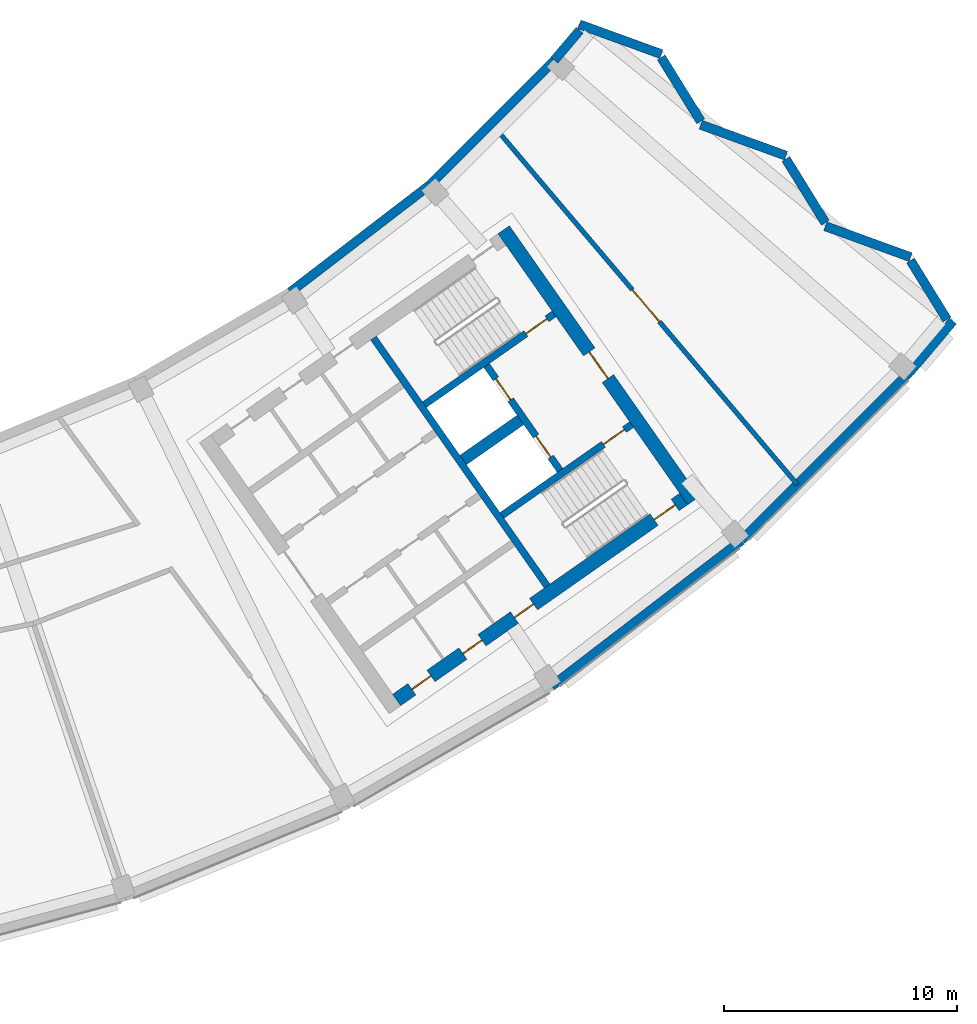
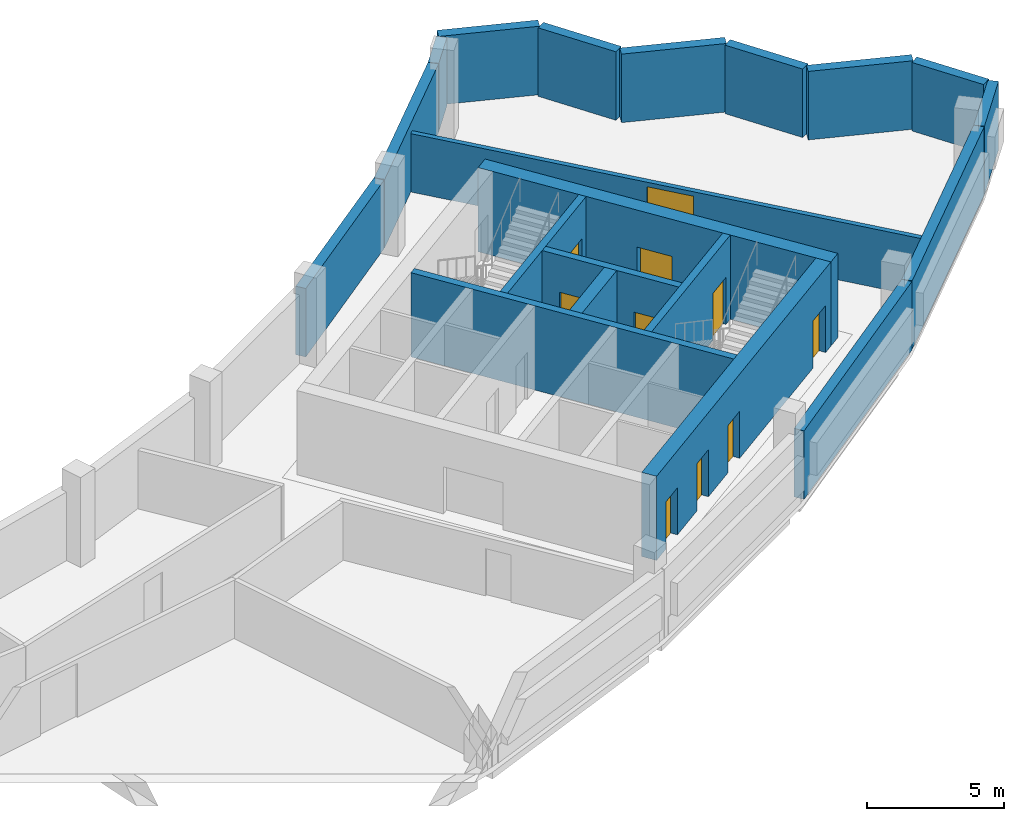
# One storey, part 6 of 11: 20 walls, 10 doors, 10 openings.
"""IFC4 building model written with IfcOpenShell, lengths in metres."""

from ifc_helpers import new_model, si_unit, direction, frame, frame_2d, origin, place, context, subcontext, project, spatial, rectangle, extrude, material, layer, layer_set, type_object, element, fill, save


model = new_model("IFC4")

# Units and contexts
model_context = context("Model", 3, precision=1e-05, world=origin(), true_north=direction((0.0, 1.0)))
body_context = subcontext(model_context, "Body", "Model", "MODEL_VIEW")
ifc_project = project(units=[si_unit("LENGTHUNIT", "METRE"), si_unit("AREAUNIT", "SQUARE_METRE"), si_unit("VOLUMEUNIT", "CUBIC_METRE"), si_unit("PLANEANGLEUNIT", "RADIAN"), si_unit("MASSUNIT", "GRAM", prefix="KILO")], contexts=[model_context])

# Site, building, storey
site_placement = place(None, origin())
site = spatial("IfcSite", under=ifc_project, at=site_placement, CompositionType="ELEMENT")
building_placement = place(site_placement, origin())
building = spatial("IfcBuilding", under=site, at=building_placement, Name="Qamariyya Broadcast Tower", CompositionType="ELEMENT")
storey_placement = place(building_placement, frame((0.0, 0.0, 314.699951171875)))
storey = spatial("IfcBuildingStorey", under=building, at=storey_placement, Name="L76", CompositionType="ELEMENT", Elevation=314.699951171875)

# Wall, opening, door
ifc_material_1 = material(Name="Concrete C60/75", Category="concrete")
ifc_layer_1 = layer(ifc_material_1, 0.60009765625)
ifc_layer_set_1 = layer_set([ifc_layer_1], Name="Core wall 600 mm Concrete C60/75")
wall_type_1 = type_object("IfcWallType", Name="Core wall 600 mm Concrete C60/75", PredefinedType="SHEAR", material=ifc_layer_set_1)
wall_1_placement = place(storey_placement, frame((49.4833984375, -57.031494140625, 0.0), z_axis=(0.0, 0.0, 1.0), x_axis=(-0.573560421458, 0.819163257805, 0.0)))
wall_1 = element("IfcWall", 1, at=wall_1_placement, inside=storey, type_object=wall_type_1, Name="k-E-L76-WH", PredefinedType="SHEAR", context=body_context, shape_type="SweptSolid", body=[
    extrude(rectangle(XDim=14.199951171875, YDim=0.60009765625, at=frame_2d((7.10009765625, 0.0))), origin(), (0.0, 0.0, 1.0), 3.75),
])
opening_1_placement = place(wall_1_placement, frame((6.39990234375, 0.0, 0.0)))
opening_1 = element("IfcOpeningElement", 2, at=opening_1_placement, cuts=wall_1, Name="Opening KD2-E1", PredefinedType="OPENING", context=body_context, shape_type="SweptSolid", body=[
    extrude(rectangle(XDim=1.39990234375, YDim=2.10009765625, at=frame_2d((0.699951171875, 1.050048828125))), frame((0.0, 0.31005859375, 0.0), z_axis=(0.0, -1.0, 0.0), x_axis=(1.0, 0.0, 0.0)), (0.0, 0.0, 1.0), 0.6201171875),
])
ifc_material_2 = material(Name="Steel fire-resisting door leaf", Category="steel")
door_type_1 = type_object("IfcDoorType", Name="Fire-fighting lobby door KD2", OperationType="DOUBLE_DOOR_SINGLE_SWING", PredefinedType="DOOR", material=ifc_material_2)
door_1_placement = place(opening_1_placement, origin())
door_1 = element("IfcDoor", 3, at=door_1_placement, inside=storey, type_object=door_type_1, Name="k-E-L76-WH-D16", OperationType="DOUBLE_DOOR_SINGLE_SWING", OverallHeight=2.10009765625, OverallWidth=1.39990234375, PredefinedType="DOOR", context=body_context, shape_type="SweptSolid", body=[
    extrude(rectangle(XDim=1.39990234375, YDim=2.10009765625, at=frame_2d((0.699951171875, 1.050048828125))), frame((0.0, 0.02490234375, 0.0), z_axis=(0.0, -1.0, 0.0), x_axis=(1.0, 0.0, 0.0)), (0.0, 0.0, 1.0), 0.050048828125),
])
fill(opening_1, door_1)

# Wall, openings, doors
wall_2_placement = place(storey_placement, frame((36.7412109375, -65.58740234375, 0.0), z_axis=(0.0, 0.0, 1.0), x_axis=(0.819153391756, 0.573574511963, 0.0)))
wall_2 = element("IfcWall", 4, at=wall_2_placement, inside=storey, type_object=wall_type_1, Name="k-E-L76-WO", PredefinedType="SHEAR", context=body_context, shape_type="SweptSolid", body=[
    extrude(rectangle(XDim=15.04541015625, YDim=0.60009765625, at=frame_2d((7.522705078125, 0.0))), origin(), (0.0, 0.0, 1.0), 3.75),
])
opening_2_placement = place(wall_2_placement, frame((0.800048828125, 0.0, 0.0)))
opening_2 = element("IfcOpeningElement", 5, at=opening_2_placement, cuts=wall_2, Name="Opening KD4-E10", PredefinedType="OPENING", context=body_context, shape_type="SweptSolid", body=[
    extrude(rectangle(XDim=1.0, YDim=2.10009765625, at=frame_2d((0.5, 1.050048828125))), frame((0.0, 0.31005859375, 0.0), z_axis=(0.0, -1.0, 0.0), x_axis=(1.0, 0.0, 0.0)), (0.0, 0.0, 1.0), 0.6201171875),
])
opening_3_placement = place(wall_2_placement, frame((3.47509765625, 0.0, 0.0)))
opening_3 = element("IfcOpeningElement", 6, at=opening_3_placement, cuts=wall_2, Name="Opening KD4-E11", PredefinedType="OPENING", context=body_context, shape_type="SweptSolid", body=[
    extrude(rectangle(XDim=1.0, YDim=2.10009765625, at=frame_2d((0.5, 1.050048828125))), frame((0.0, 0.31005859375, 0.0), z_axis=(0.0, -1.0, 0.0), x_axis=(1.0, 0.0, 0.0)), (0.0, 0.0, 1.0), 0.6201171875),
])
opening_4_placement = place(wall_2_placement, frame((6.175048828125, 0.0, 0.0)))
opening_4 = element("IfcOpeningElement", 7, at=opening_4_placement, cuts=wall_2, Name="Opening KD4-E12", PredefinedType="OPENING", context=body_context, shape_type="SweptSolid", body=[
    extrude(rectangle(XDim=1.0, YDim=2.10009765625, at=frame_2d((0.5, 1.050048828125))), frame((0.0, 0.31005859375, 0.0), z_axis=(0.0, -1.0, 0.0), x_axis=(1.0, 0.0, 0.0)), (0.0, 0.0, 1.0), 0.6201171875),
])
opening_5_placement = place(wall_2_placement, frame((13.495361328125, 0.0, 0.0)))
opening_5 = element("IfcOpeningElement", 8, at=opening_5_placement, cuts=wall_2, Name="Opening KD1-E3", PredefinedType="OPENING", context=body_context, shape_type="SweptSolid", body=[
    extrude(rectangle(XDim=1.10009765625, YDim=2.10009765625, at=frame_2d((0.550048828125, 1.050048828125))), frame((0.0, 0.31005859375, 0.0), z_axis=(0.0, -1.0, 0.0), x_axis=(1.0, 0.0, 0.0)), (0.0, 0.0, 1.0), 0.6201171875),
])
door_type_2 = type_object("IfcDoorType", Name="Riser and plant door KD4", OperationType="SINGLE_SWING_LEFT", PredefinedType="DOOR", material=ifc_material_2)
door_2_placement = place(opening_2_placement, origin())
door_2 = element("IfcDoor", 9, at=door_2_placement, inside=storey, type_object=door_type_2, Name="k-E-L76-WO-D11", OperationType="SINGLE_SWING_LEFT", OverallHeight=2.10009765625, OverallWidth=1.0, PredefinedType="DOOR", context=body_context, shape_type="SweptSolid", body=[
    extrude(rectangle(XDim=1.0, YDim=2.10009765625, at=frame_2d((0.5, 1.050048828125))), frame((0.0, 0.02490234375, 0.0), z_axis=(0.0, -1.0, 0.0), x_axis=(1.0, 0.0, 0.0)), (0.0, 0.0, 1.0), 0.050048828125),
])
fill(opening_2, door_2)
door_3_placement = place(opening_3_placement, origin())
door_3 = element("IfcDoor", 10, at=door_3_placement, inside=storey, type_object=door_type_2, Name="k-E-L76-WO-D12", OperationType="SINGLE_SWING_RIGHT", OverallHeight=2.10009765625, OverallWidth=1.0, PredefinedType="DOOR", context=body_context, shape_type="SweptSolid", body=[
    extrude(rectangle(XDim=1.0, YDim=2.10009765625, at=frame_2d((0.5, 1.050048828125))), frame((0.0, 0.02490234375, 0.0), z_axis=(0.0, -1.0, 0.0), x_axis=(1.0, 0.0, 0.0)), (0.0, 0.0, 1.0), 0.050048828125),
])
fill(opening_3, door_3)
door_4_placement = place(opening_4_placement, origin())
door_4 = element("IfcDoor", 11, at=door_4_placement, inside=storey, type_object=door_type_2, Name="k-E-L76-WO-D13", OperationType="SINGLE_SWING_LEFT", OverallHeight=2.10009765625, OverallWidth=1.0, PredefinedType="DOOR", context=body_context, shape_type="SweptSolid", body=[
    extrude(rectangle(XDim=1.0, YDim=2.10009765625, at=frame_2d((0.5, 1.050048828125))), frame((0.0, 0.02490234375, 0.0), z_axis=(0.0, -1.0, 0.0), x_axis=(1.0, 0.0, 0.0)), (0.0, 0.0, 1.0), 0.050048828125),
])
fill(opening_4, door_4)
door_type_3 = type_object("IfcDoorType", Name="Stair door KD1", OperationType="SINGLE_SWING_LEFT", PredefinedType="DOOR", material=ifc_material_2)
door_5_placement = place(opening_5_placement, origin())
door_5 = element("IfcDoor", 12, at=door_5_placement, inside=storey, type_object=door_type_3, Name="k-E-L76-WO-D19", OperationType="SINGLE_SWING_LEFT", OverallHeight=2.10009765625, OverallWidth=1.10009765625, PredefinedType="DOOR", context=body_context, shape_type="SweptSolid", body=[
    extrude(rectangle(XDim=1.10009765625, YDim=2.10009765625, at=frame_2d((0.550048828125, 1.050048828125))), frame((0.0, 0.02490234375, 0.0), z_axis=(0.0, -1.0, 0.0), x_axis=(1.0, 0.0, 0.0)), (0.0, 0.0, 1.0), 0.050048828125),
])
fill(opening_5, door_5)

# Walls
ifc_layer_2 = layer(ifc_material_1, 0.5)
ifc_layer_set_2 = layer_set([ifc_layer_2], Name="Fire-fighting lobby divider wall 500 mm Concrete C60/75")
wall_type_2 = type_object("IfcWallType", Name="Fire-fighting lobby divider wall 500 mm Concrete C60/75", PredefinedType="SOLIDWALL", material=ifc_layer_set_2)
wall_3_placement = place(storey_placement, frame((39.59912109375, -55.28515625, 0.0), z_axis=(0.0, 0.0, 1.0), x_axis=(0.819136323161, 0.573598887793, 0.0)))
element("IfcWall", 13, at=wall_3_placement, inside=storey, type_object=wall_type_2, Name="k-E-L76-FD", PredefinedType="SOLIDWALL", context=body_context, shape_type="SweptSolid", body=[
    extrude(rectangle(XDim=2.999755859375, YDim=0.5, at=frame_2d((1.5, 0.0))), origin(), (0.0, 0.0, 1.0), 3.75),
])
ifc_layer_3 = layer(ifc_material_1, 0.300048828125)
ifc_layer_set_3 = layer_set([ifc_layer_3], Name="Lift shaft wall 300 mm Concrete C60/75")
wall_type_3 = type_object("IfcWallType", Name="Lift shaft wall 300 mm Concrete C60/75", PredefinedType="SOLIDWALL", material=ifc_layer_set_3)
wall_4_placement = place(storey_placement, frame((43.204345703125, -60.69580078125, 0.0), z_axis=(0.0, 0.0, 1.0), x_axis=(-0.573571992966, 0.819155155563, 0.0)))
element("IfcWall", 14, at=wall_4_placement, inside=storey, type_object=wall_type_3, Name="k-E-L76-WL", PredefinedType="SOLIDWALL", context=body_context, shape_type="SweptSolid", body=[
    extrude(rectangle(XDim=13.000244140625, YDim=0.300048828125, at=frame_2d((6.5, 0.0))), origin(), (0.0, 0.0, 1.0), 3.75),
])

# Wall, opening, door
wall_5_placement = place(storey_placement, frame((37.935546875, -52.90966796875, 0.0), z_axis=(0.0, 0.0, 1.0), x_axis=(0.819147518138, 0.57358290031, 0.0)))
wall_5 = element("IfcWall", 15, at=wall_5_placement, inside=storey, type_object=wall_type_3, Name="k-E-L76-NW", PredefinedType="SOLIDWALL", context=body_context, shape_type="SweptSolid", body=[
    extrude(rectangle(XDim=6.79541015625, YDim=0.300048828125, at=frame_2d((3.397705078125, 0.0))), origin(), (0.0, 0.0, 1.0), 3.75),
])
opening_6_placement = place(wall_5_placement, frame((5.3203125, 0.0, 0.0)))
opening_6 = element("IfcOpeningElement", 16, at=opening_6_placement, cuts=wall_5, Name="Opening KD1-E2", PredefinedType="OPENING", context=body_context, shape_type="SweptSolid", body=[
    extrude(rectangle(XDim=1.10009765625, YDim=2.10009765625, at=frame_2d((0.550048828125, 1.050048828125))), frame((0.0, 0.159912109375, 0.0), z_axis=(0.0, -1.0, 0.0), x_axis=(1.0, 0.0, 0.0)), (0.0, 0.0, 1.0), 0.320068359375),
])
door_6_placement = place(opening_6_placement, origin())
door_6 = element("IfcDoor", 17, at=door_6_placement, inside=storey, type_object=door_type_3, Name="k-E-L76-NW-D18", OperationType="SINGLE_SWING_RIGHT", OverallHeight=2.10009765625, OverallWidth=1.10009765625, PredefinedType="DOOR", context=body_context, shape_type="SweptSolid", body=[
    extrude(rectangle(XDim=1.10009765625, YDim=2.10009765625, at=frame_2d((0.550048828125, 1.050048828125))), frame((0.0, 0.02490234375, 0.0), z_axis=(0.0, -1.0, 0.0), x_axis=(1.0, 0.0, 0.0)), (0.0, 0.0, 1.0), 0.050048828125),
])
fill(opening_6, door_6)

wall_6_placement = place(storey_placement, frame((41.262451171875, -57.66064453125, 0.0), z_axis=(0.0, 0.0, 1.0), x_axis=(0.819164398642, 0.573558792102, 0.0)))
wall_6 = element("IfcWall", 18, at=wall_6_placement, inside=storey, type_object=wall_type_3, Name="k-E-L76-SW", PredefinedType="SOLIDWALL", context=body_context, shape_type="SweptSolid", body=[
    extrude(rectangle(XDim=6.795166015625, YDim=0.300048828125, at=frame_2d((3.3974609375, 0.0))), origin(), (0.0, 0.0, 1.0), 3.75),
])
opening_7_placement = place(wall_6_placement, frame((5.3203125, 0.0, 0.0)))
opening_7 = element("IfcOpeningElement", 19, at=opening_7_placement, cuts=wall_6, Name="Opening KD1-E4", PredefinedType="OPENING", context=body_context, shape_type="SweptSolid", body=[
    extrude(rectangle(XDim=1.10009765625, YDim=2.10009765625, at=frame_2d((0.550048828125, 1.050048828125))), frame((0.0, 0.159912109375, 0.0), z_axis=(0.0, -1.0, 0.0), x_axis=(1.0, 0.0, 0.0)), (0.0, 0.0, 1.0), 0.320068359375),
])
door_7_placement = place(opening_7_placement, origin())
door_7 = element("IfcDoor", 20, at=door_7_placement, inside=storey, type_object=door_type_3, Name="k-E-L76-SW-D20", OperationType="SINGLE_SWING_RIGHT", OverallHeight=2.10009765625, OverallWidth=1.10009765625, PredefinedType="DOOR", context=body_context, shape_type="SweptSolid", body=[
    extrude(rectangle(XDim=1.10009765625, YDim=2.10009765625, at=frame_2d((0.550048828125, 1.050048828125))), frame((0.0, 0.02490234375, 0.0), z_axis=(0.0, -1.0, 0.0), x_axis=(1.0, 0.0, 0.0)), (0.0, 0.0, 1.0), 0.050048828125),
])
fill(opening_7, door_7)

# Wall, openings, doors
wall_7_placement = place(storey_placement, frame((43.756591796875, -55.731201171875, 0.0), z_axis=(0.0, 0.0, 1.0), x_axis=(-0.573536818435, 0.819179783625, 0.0)))
wall_7 = element("IfcWall", 21, at=wall_7_placement, inside=storey, type_object=wall_type_3, Name="k-E-L76-FF", PredefinedType="SOLIDWALL", context=body_context, shape_type="SweptSolid", body=[
    extrude(rectangle(XDim=5.500244140625, YDim=0.300048828125, at=frame_2d((2.75, 0.0))), origin(), (0.0, 0.0, 1.0), 3.75),
])
opening_8_placement = place(wall_7_placement, frame((0.699951171875, 0.0, 0.0)))
opening_8 = element("IfcOpeningElement", 22, at=opening_8_placement, cuts=wall_7, Name="Opening LD", PredefinedType="OPENING", context=body_context, shape_type="SweptSolid", body=[
    extrude(rectangle(XDim=1.10009765625, YDim=2.10009765625, at=frame_2d((0.550048828125, 1.050048828125))), frame((0.0, 0.159912109375, 0.0), z_axis=(0.0, -1.0, 0.0), x_axis=(1.0, 0.0, 0.0)), (0.0, 0.0, 1.0), 0.320068359375),
])
opening_9_placement = place(wall_7_placement, frame((3.699951171875, 0.0, 0.0)))
opening_9 = element("IfcOpeningElement", 23, at=opening_9_placement, cuts=wall_7, Name="Opening LD", PredefinedType="OPENING", context=body_context, shape_type="SweptSolid", body=[
    extrude(rectangle(XDim=1.10009765625, YDim=2.10009765625, at=frame_2d((0.550048828125, 1.050048828125))), frame((0.0, 0.159912109375, 0.0), z_axis=(0.0, -1.0, 0.0), x_axis=(1.0, 0.0, 0.0)), (0.0, 0.0, 1.0), 0.320068359375),
])
door_type_4 = type_object("IfcDoorType", Name="Lift landing door LD", OperationType="DOUBLE_DOOR_SLIDING", PredefinedType="DOOR", material=ifc_material_2)
door_8_placement = place(opening_8_placement, origin())
door_8 = element("IfcDoor", 24, at=door_8_placement, inside=storey, type_object=door_type_4, Name="k-E-L76-FF-D14", OperationType="DOUBLE_DOOR_SLIDING", OverallHeight=2.10009765625, OverallWidth=1.10009765625, PredefinedType="DOOR", context=body_context, shape_type="SweptSolid", body=[
    extrude(rectangle(XDim=1.10009765625, YDim=2.10009765625, at=frame_2d((0.550048828125, 1.050048828125))), frame((0.0, 0.02490234375, 0.0), z_axis=(0.0, -1.0, 0.0), x_axis=(1.0, 0.0, 0.0)), (0.0, 0.0, 1.0), 0.050048828125),
])
fill(opening_8, door_8)
door_9_placement = place(opening_9_placement, origin())
door_9 = element("IfcDoor", 25, at=door_9_placement, inside=storey, type_object=door_type_4, Name="k-E-L76-FF-D15", OperationType="DOUBLE_DOOR_SLIDING", OverallHeight=2.10009765625, OverallWidth=1.10009765625, PredefinedType="DOOR", context=body_context, shape_type="SweptSolid", body=[
    extrude(rectangle(XDim=1.10009765625, YDim=2.10009765625, at=frame_2d((0.550048828125, 1.050048828125))), frame((0.0, 0.02490234375, 0.0), z_axis=(0.0, -1.0, 0.0), x_axis=(1.0, 0.0, 0.0)), (0.0, 0.0, 1.0), 0.050048828125),
])
fill(opening_9, door_9)

# Wall, opening, door
ifc_material_3 = material(Name="Masonry block wall", Category="masonry")
ifc_layer_4 = layer(ifc_material_3, 0.199951171875)
ifc_layer_set_4 = layer_set([ifc_layer_4], Name="Plant room wall 200 EI 120")
wall_type_4 = type_object("IfcWallType", Name="Plant room wall 200 EI 120", PredefinedType="PARTITIONING", material=ifc_layer_set_4)
wall_8_placement = place(storey_placement, frame((40.93603515625, -40.982666015625, 0.0), z_axis=(0.0, 0.0, 1.0), x_axis=(0.646426079671, -0.76297662056, 0.0)))
wall_8 = element("IfcWall", 26, at=wall_8_placement, inside=storey, type_object=wall_type_4, Name="Partition L76-026", PredefinedType="PARTITIONING", context=body_context, shape_type="SweptSolid", body=[
    extrude(rectangle(XDim=20.1259765625, YDim=0.199951171875, at=frame_2d((10.06298828125, 0.0))), origin(), (0.0, 0.0, 1.0), 2.60009765625),
])
opening_10_placement = place(wall_8_placement, frame((9.1630859375, 0.0, 0.0)))
opening_10 = element("IfcOpeningElement", 27, at=opening_10_placement, cuts=wall_8, Name="Opening L76-D13", PredefinedType="OPENING", context=body_context, shape_type="SweptSolid", body=[
    extrude(rectangle(XDim=1.800048828125, YDim=2.39990234375, at=frame_2d((0.89990234375, 1.199951171875))), frame((0.0, 0.10986328125, 0.0), z_axis=(0.0, -1.0, 0.0), x_axis=(1.0, 0.0, 0.0)), (0.0, 0.0, 1.0), 0.219970703125),
])
ifc_material_4 = material(Name="Insulated metal door leaf")
door_type_5 = type_object("IfcDoorType", Name="Plant double door 1800 x 2400 FD120", OperationType="NOTDEFINED", PredefinedType="DOOR", material=ifc_material_4)
door_10_placement = place(opening_10_placement, origin())
door_10 = element("IfcDoor", 28, at=door_10_placement, inside=storey, type_object=door_type_5, Name="Door L76-D13", OperationType="DOUBLE_DOOR_SINGLE_SWING", OverallHeight=2.39990234375, OverallWidth=1.800048828125, PredefinedType="DOOR", context=body_context, shape_type="SweptSolid", body=[
    extrude(rectangle(XDim=1.800048828125, YDim=2.39990234375, at=frame_2d((0.89990234375, 1.199951171875))), frame((0.0, 0.02490234375, 0.0), z_axis=(0.0, -1.0, 0.0), x_axis=(1.0, 0.0, 0.0)), (0.0, 0.0, 1.0), 0.050048828125),
])
fill(opening_10, door_10)

# Walls
ifc_material_5 = material(Name="Terracotta", Category="masonry")
ifc_layer_5 = layer(ifc_material_5, 0.39990234375)
ifc_layer_set_5 = layer_set([ifc_layer_5], Name="Solid terracotta louvred band wall 400")
wall_type_5 = type_object("IfcWallType", Name="Solid terracotta louvred band wall 400", PredefinedType="SOLIDWALL", material=ifc_layer_set_5)
wall_9_placement = place(storey_placement, frame((60.36962890625, -49.252685546875, 0.0), z_axis=(0.0, 0.0, 1.0), x_axis=(-0.525538284274, 0.850769952315, 0.0)))
element("IfcWall", 29, at=wall_9_placement, inside=storey, type_object=wall_type_5, Name="e-wl-L76-capE0", PredefinedType="SOLIDWALL", context=body_context, shape_type="SweptSolid", body=[
    extrude(rectangle(XDim=2.976318359375, YDim=0.39990234375, at=frame_2d((1.48828125, 0.0))), origin(), (0.0, 0.0, 1.0), 3.050048828125),
])
wall_10_placement = place(storey_placement, frame((58.806396484375, -46.57421875, 0.0), z_axis=(0.0, 0.0, 1.0), x_axis=(-0.940075029039, 0.340967652099, 0.0)))
element("IfcWall", 30, at=wall_10_placement, inside=storey, type_object=wall_type_5, Name="e-wl-L76-capE1", PredefinedType="SOLIDWALL", context=body_context, shape_type="SweptSolid", body=[
    extrude(rectangle(XDim=3.893798828125, YDim=0.39990234375, at=frame_2d((1.94677734375, 0.0))), origin(), (0.0, 0.0, 1.0), 3.050048828125),
])
wall_11_placement = place(storey_placement, frame((55.14697265625, -45.1005859375, 0.0), z_axis=(0.0, 0.0, 1.0), x_axis=(-0.525649491409, 0.850701247314, 0.0)))
element("IfcWall", 31, at=wall_11_placement, inside=storey, type_object=wall_type_5, Name="e-wl-L76-capE2", PredefinedType="SOLIDWALL", context=body_context, shape_type="SweptSolid", body=[
    extrude(rectangle(XDim=3.21923828125, YDim=0.39990234375, at=frame_2d((1.609619140625, 0.0))), origin(), (0.0, 0.0, 1.0), 3.050048828125),
])
wall_12_placement = place(storey_placement, frame((53.455810546875, -42.216064453125, 0.0), z_axis=(0.0, 0.0, 1.0), x_axis=(-0.940086069154, 0.340937212083, 0.0)))
element("IfcWall", 32, at=wall_12_placement, inside=storey, type_object=wall_type_5, Name="e-wl-L76-capE3", PredefinedType="SOLIDWALL", context=body_context, shape_type="SweptSolid", body=[
    extrude(rectangle(XDim=3.892578125, YDim=0.39990234375, at=frame_2d((1.9462890625, 0.0))), origin(), (0.0, 0.0, 1.0), 3.050048828125),
])
wall_13_placement = place(storey_placement, frame((49.797119140625, -40.742919921875, 0.0), z_axis=(0.0, 0.0, 1.0), x_axis=(-0.525678481137, 0.850683333838, 0.0)))
element("IfcWall", 33, at=wall_13_placement, inside=storey, type_object=wall_type_5, Name="e-wl-L76-capE4", PredefinedType="SOLIDWALL", context=body_context, shape_type="SweptSolid", body=[
    extrude(rectangle(XDim=3.220458984375, YDim=0.39990234375, at=frame_2d((1.6103515625, 0.0))), origin(), (0.0, 0.0, 1.0), 3.050048828125),
])
wall_14_placement = place(storey_placement, frame((48.105224609375, -37.857421875, 0.0), z_axis=(0.0, 0.0, 1.0), x_axis=(-0.940130056589, 0.340815898541, 0.0)))
element("IfcWall", 34, at=wall_14_placement, inside=storey, type_object=wall_type_5, Name="e-wl-L76-capE5", PredefinedType="SOLIDWALL", context=body_context, shape_type="SweptSolid", body=[
    extrude(rectangle(XDim=3.742919921875, YDim=0.39990234375, at=frame_2d((1.87158203125, 0.0))), origin(), (0.0, 0.0, 1.0), 3.050048828125),
])
wall_15_placement = place(storey_placement, frame((38.103271484375, -43.525146484375, 0.0), z_axis=(0.0, 0.0, 1.0), x_axis=(-0.793355236357, -0.608758957999, 0.0)))
element("IfcWall", 35, at=wall_15_placement, inside=storey, type_object=wall_type_5, Name="e-wl-L76-in120", PredefinedType="SOLIDWALL", context=body_context, shape_type="SweptSolid", body=[
    extrude(rectangle(XDim=7.4658203125, YDim=0.39990234375, at=frame_2d((3.73291015625, 0.0))), origin(), (0.0, 0.0, 1.0), 3.050048828125),
])
wall_16_placement = place(storey_placement, frame((43.50146484375, -38.13623046875, 0.0), z_axis=(0.0, 0.0, 1.0), x_axis=(-0.707106781187, -0.707106781187, 0.0)))
element("IfcWall", 36, at=wall_16_placement, inside=storey, type_object=wall_type_5, Name="e-wl-L76-in130", PredefinedType="SOLIDWALL", context=body_context, shape_type="SweptSolid", body=[
    extrude(rectangle(XDim=7.6025390625, YDim=0.39990234375, at=frame_2d((3.80126953125, 0.0))), origin(), (0.0, 0.0, 1.0), 3.050048828125),
])
wall_17_placement = place(storey_placement, frame((44.59814453125, -36.8369140625, 0.0), z_axis=(0.0, 0.0, 1.0), x_axis=(-0.645545650865, -0.763721685334, 0.0)))
element("IfcWall", 37, at=wall_17_placement, inside=storey, type_object=wall_type_5, Name="e-wl-L76-in140", PredefinedType="SOLIDWALL", context=body_context, shape_type="SweptSolid", body=[
    extrude(rectangle(XDim=1.68359375, YDim=0.39990234375, at=frame_2d((0.841796875, 0.0))), origin(), (0.0, 0.0, 1.0), 3.050048828125),
])
wall_18_placement = place(storey_placement, frame((43.397705078125, -64.994140625, 0.0), z_axis=(0.0, 0.0, 1.0), x_axis=(0.793354972355, 0.608759302055, 0.0)))
element("IfcWall", 38, at=wall_18_placement, inside=storey, type_object=wall_type_5, Name="e-wl-L76-out120", PredefinedType="SOLIDWALL", context=body_context, shape_type="SweptSolid", body=[
    extrude(rectangle(XDim=10.2724609375, YDim=0.39990234375, at=frame_2d((5.13623046875, 0.0))), origin(), (0.0, 0.0, 1.0), 3.050048828125),
])
wall_19_placement = place(storey_placement, frame((51.5634765625, -58.719970703125, 0.0), z_axis=(0.0, 0.0, 1.0), x_axis=(0.707118813872, 0.707094748296, 0.0)))
element("IfcWall", 39, at=wall_19_placement, inside=storey, type_object=wall_type_5, Name="e-wl-L76-out130", PredefinedType="SOLIDWALL", context=body_context, shape_type="SweptSolid", body=[
    extrude(rectangle(XDim=10.144775390625, YDim=0.39990234375, at=frame_2d((5.072265625, 0.0))), origin(), (0.0, 0.0, 1.0), 3.050048828125),
])
wall_20_placement = place(storey_placement, frame((58.74951171875, -51.53564453125, 0.0), z_axis=(0.0, 0.0, 1.0), x_axis=(0.6455801385, 0.763692532878, 0.0)))
element("IfcWall", 40, at=wall_20_placement, inside=storey, type_object=wall_type_5, Name="e-wl-L76-out140", PredefinedType="SOLIDWALL", context=body_context, shape_type="SweptSolid", body=[
    extrude(rectangle(XDim=2.902099609375, YDim=0.39990234375, at=frame_2d((1.451171875, 0.0))), origin(), (0.0, 0.0, 1.0), 3.050048828125),
])

save(model, "model.ifc")
